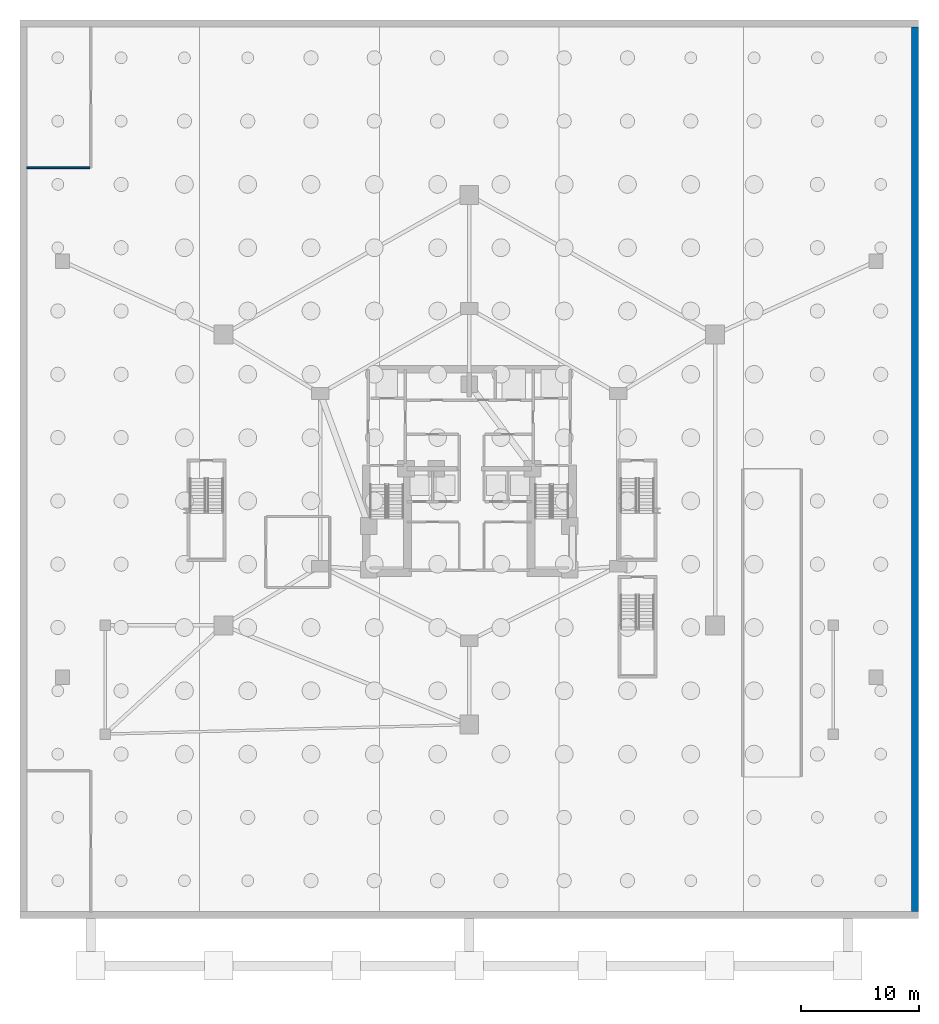
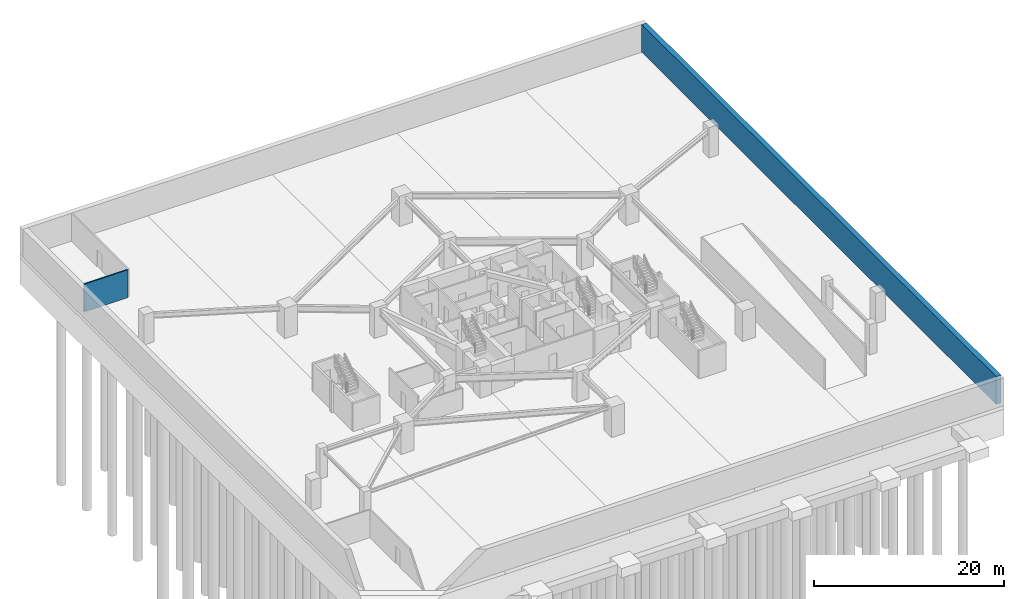
# One storey, part 9 of 14: 2 walls.
"""IFC4 building model written with IfcOpenShell, lengths in metres."""

from ifc_helpers import new_model, si_unit, direction, frame, frame_2d, origin, place, context, subcontext, project, spatial, rectangle, extrude, material, layer, layer_set, type_object, element, save


model = new_model("IFC4")

# Units and contexts
model_context = context("Model", 3, precision=1e-05, world=origin(), true_north=direction((0.0, 1.0)))
body_context = subcontext(model_context, "Body", "Model", "MODEL_VIEW")
ifc_project = project(units=[si_unit("LENGTHUNIT", "METRE"), si_unit("AREAUNIT", "SQUARE_METRE"), si_unit("VOLUMEUNIT", "CUBIC_METRE"), si_unit("PLANEANGLEUNIT", "RADIAN"), si_unit("MASSUNIT", "GRAM", prefix="KILO")], contexts=[model_context])

# Site, building, storey
site_placement = place(None, origin())
site = spatial("IfcSite", under=ifc_project, at=site_placement, CompositionType="ELEMENT")
building_placement = place(site_placement, origin())
building = spatial("IfcBuilding", under=site, at=building_placement, Name="Miruveldt Soraemaru", CompositionType="ELEMENT")
storey_placement = place(building_placement, frame((0.0, 0.0, -15.60009765625)))
storey = spatial("IfcBuildingStorey", under=building, at=storey_placement, Name="B4", CompositionType="ELEMENT", Elevation=-15.60009765625)

# Walls
ifc_material_1 = material(Name="Concrete C40/50 (40 MPa)", Category="concrete")
ifc_layer_1 = layer(ifc_material_1, 0.159912109375, Name="Concrete C40/50 (40 MPa)", Category="concrete")
ifc_layer_set_1 = layer_set([ifc_layer_1], Name="Concrete C40/50 (40 MPa)")
wall_type_1 = type_object("IfcWallType", Name="WALL-INT-RC160", PredefinedType="SOLIDWALL", material=ifc_layer_set_1)
wall_1_placement = place(storey_placement, frame((11.919921875, 69.5, 0.0), z_axis=(0.0, 0.0, 1.0), x_axis=(-1.0, 0.0, 0.0)))
element("IfcWall", 1, at=wall_1_placement, inside=storey, type_object=wall_type_1, Name="B4 Partition Wall 2", PredefinedType="SOLIDWALL", context=body_context, shape_type="SweptSolid", body=[
    extrude(rectangle(XDim=5.369873046875, YDim=0.159912109375, at=frame_2d((2.68505859375, 0.0))), origin(), (0.0, 0.0, 1.0), 3.580078125),
])
ifc_material_2 = material(Name="Concrete C50/60 (50 MPa)", Category="concrete")
ifc_layer_2 = layer(ifc_material_2, 0.60009765625, Name="Concrete C50/60 (50 MPa)", Category="concrete")
ifc_layer_set_2 = layer_set([ifc_layer_2], Name="Concrete C50/60 (50 MPa)")
wall_type_2 = type_object("IfcWallType", Name="WALL-RET-600", PredefinedType="SOLIDWALL", material=ifc_layer_set_2)
wall_2_placement = place(storey_placement, frame((81.699951171875, 6.60009765625, 0.0), z_axis=(0.0, 0.0, 1.0), x_axis=(0.0, 1.0, 0.0)))
element("IfcWall", 2, at=wall_2_placement, inside=storey, type_object=wall_type_2, Name="B4 Perimeter Slurry Retaining Wall E", PredefinedType="SOLIDWALL", context=body_context, shape_type="SweptSolid", body=[
    extrude(rectangle(XDim=74.7998046875, YDim=0.60009765625, at=frame_2d((37.39990234375, 0.0))), origin(), (0.0, 0.0, 1.0), 3.580078125),
])

save(model, "model.ifc")
